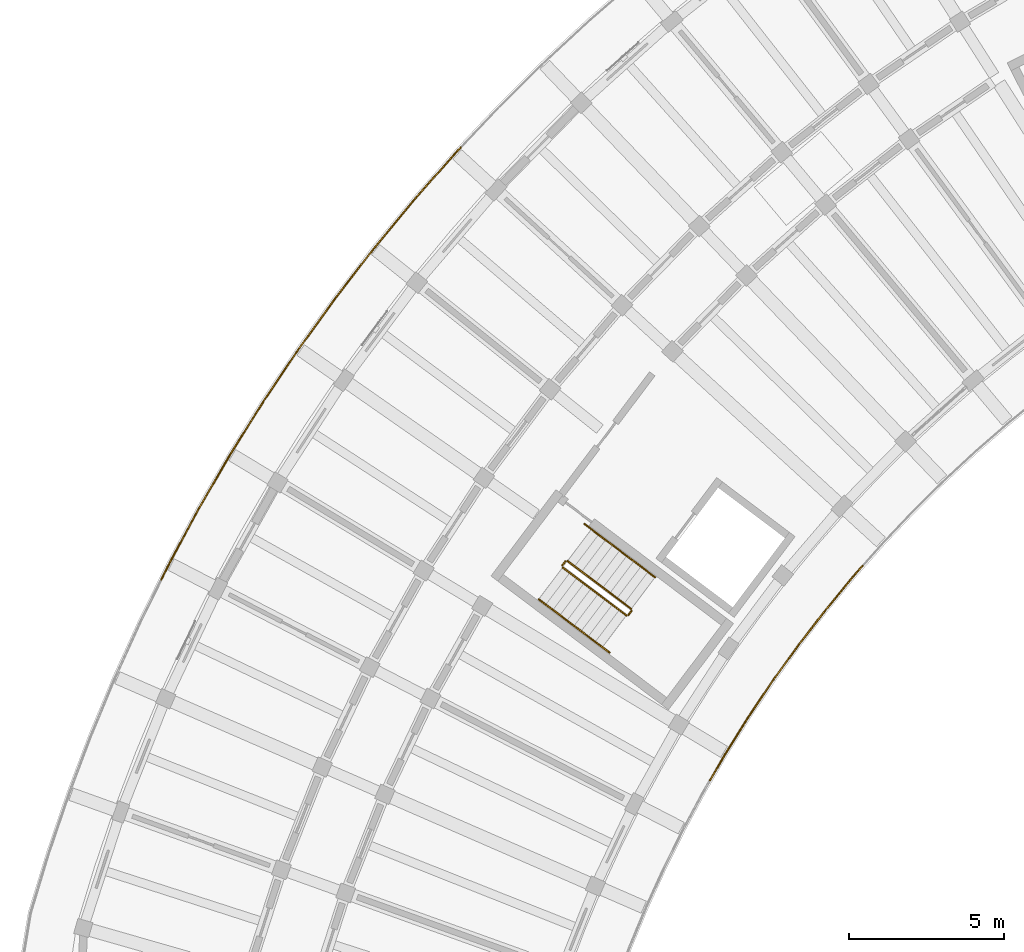
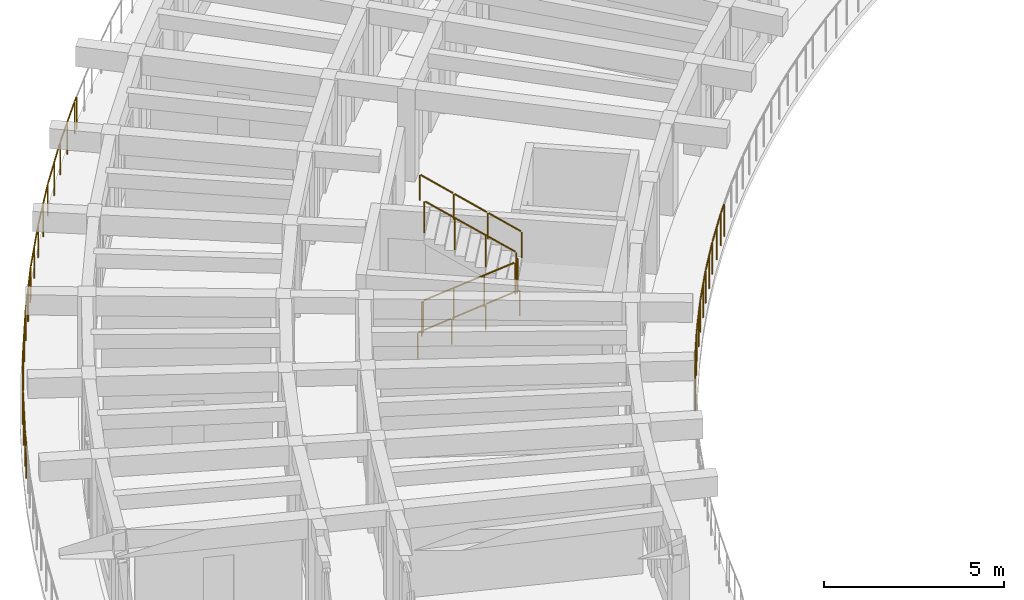
# One storey, part 47 of 56: 13 railings.
"""IFC4 building model written with IfcOpenShell, lengths in metres."""

from ifc_helpers import new_model, si_unit, direction, frame, origin, origin_2d, place, context, subcontext, project, spatial, circle, extrude, material, type_object, element, save


model = new_model("IFC4")

# Units and contexts
model_context = context("Model", 3, precision=1e-05, world=origin(), true_north=direction((0.0, 1.0)))
body_context = subcontext(model_context, "Body", "Model", "MODEL_VIEW")
ifc_project = project(units=[si_unit("LENGTHUNIT", "METRE"), si_unit("AREAUNIT", "SQUARE_METRE"), si_unit("VOLUMEUNIT", "CUBIC_METRE"), si_unit("PLANEANGLEUNIT", "RADIAN"), si_unit("MASSUNIT", "GRAM", prefix="KILO")], contexts=[model_context])

# Site, building, storey
site_placement = place(None, origin())
site = spatial("IfcSite", under=ifc_project, at=site_placement, CompositionType="ELEMENT")
building_placement = place(site_placement, origin())
building = spatial("IfcBuilding", under=site, at=building_placement, Name="Tanwirah Colonnade Gardens", CompositionType="ELEMENT")
storey_placement = place(building_placement, frame((0.0, 0.0, 29.0)))
storey = spatial("IfcBuildingStorey", under=building, at=storey_placement, Name="L08", CompositionType="ELEMENT", Elevation=29.0)

# Railings
ifc_material_1 = material(Name="Precast concrete C40/50", Category="concrete")
railing_type_1 = type_object("IfcRailingType", Name="BAL-EXT112", PredefinedType="BALUSTRADE", material=ifc_material_1)
railing_1_placement = place(storey_placement, frame((32.869384765625, 88.28515625, 0.0)))
element("IfcRailing", 1, at=railing_1_placement, inside=storey, type_object=railing_type_1, Name="Block A L08 Balcony Ribbon Balustrade 5", PredefinedType="BALUSTRADE", context=body_context, shape_type="SweptSolid", body=[
    extrude(circle(Radius=0.02392578125, at=origin_2d()), frame((-0.020751953125, -0.0234375, 1.09619140625), z_axis=(-0.662562077046, -0.749007005348, 0.0), x_axis=(0.749007005348, -0.662562077046, 0.0)), (0.0, 0.0, 1.0), 0.3837890625),
    extrude(circle(Radius=0.02392578125, at=origin_2d()), frame((-0.3173828125, -0.3603515625, 1.09619140625), z_axis=(-0.637581943595, -0.770382544715, 0.0), x_axis=(0.770382544715, -0.637581943595, 0.0)), (0.0, 0.0, 1.0), 1.342041015625),
    extrude(circle(Radius=0.02392578125, at=origin_2d()), frame((-1.213623046875, -1.44482421875, 1.09619140625), z_axis=(-0.611783903817, -0.791024939576, 0.0), x_axis=(0.791024939576, -0.611783903817, 0.0)), (0.0, 0.0, 1.0), 1.341796875),
    extrude(circle(Radius=0.02392578125, at=origin_2d()), frame((-2.073486328125, -2.55859375, 1.09619140625), z_axis=(-0.585522290474, -0.810656306556, 0.0), x_axis=(0.810656306556, -0.585522290474, 0.0)), (0.0, 0.0, 1.0), 1.341796875),
    extrude(circle(Radius=0.02392578125, at=origin_2d()), frame((-2.896484375, -3.69970703125, 1.09619140625), z_axis=(-0.558385571779, -0.829581553091, 0.0), x_axis=(0.829581553091, -0.558385571779, 0.0)), (0.0, 0.0, 1.0), 1.341796875),
    extrude(circle(Radius=0.02392578125, at=origin_2d()), frame((-3.68115234375, -4.86767578125, 1.09619140625), z_axis=(-0.530764445851, -0.847519382091, 0.0), x_axis=(0.847519382091, -0.530764445851, 0.0)), (0.0, 0.0, 1.0), 1.341796875),
    extrude(circle(Radius=0.02392578125, at=origin_2d()), frame((-4.427001953125, -6.060546875, 1.09619140625), z_axis=(-0.502361540351, -0.864657667968, 0.0), x_axis=(0.864657667968, -0.502361540351, 0.0)), (0.0, 0.0, 1.0), 0.95361328125),
    extrude(circle(Radius=0.02099609375, at=origin_2d()), origin(), (0.0, 0.0, 1.0), 1.069091796875),
    extrude(circle(Radius=0.02099609375, at=origin_2d()), frame((-0.295654296875, -0.334228515625, 0.0)), (0.0, 0.0, 1.0), 1.069091796875),
    extrude(circle(Radius=0.02099609375, at=origin_2d()), frame((-0.7451171875, -0.877197265625, 0.0)), (0.0, 0.0, 1.0), 1.069091796875),
    extrude(circle(Radius=0.02099609375, at=origin_2d()), frame((-1.19287109375, -1.418212890625, 0.0)), (0.0, 0.0, 1.0), 1.069091796875),
    extrude(circle(Radius=0.02099609375, at=origin_2d()), frame((-1.6240234375, -1.9755859375, 0.0)), (0.0, 0.0, 1.0), 1.069091796875),
    extrude(circle(Radius=0.02099609375, at=origin_2d()), frame((-2.0537109375, -2.531005859375, 0.0)), (0.0, 0.0, 1.0), 1.069091796875),
    extrude(circle(Radius=0.02099609375, at=origin_2d()), frame((-2.46630859375, -3.1025390625, 0.0)), (0.0, 0.0, 1.0), 1.069091796875),
    extrude(circle(Radius=0.02099609375, at=origin_2d()), frame((-2.87744140625, -3.671630859375, 0.0)), (0.0, 0.0, 1.0), 1.069091796875),
    extrude(circle(Radius=0.02099609375, at=origin_2d()), frame((-3.27099609375, -4.25634765625, 0.0)), (0.0, 0.0, 1.0), 1.069091796875),
    extrude(circle(Radius=0.02099609375, at=origin_2d()), frame((-3.6630859375, -4.8388671875, 0.0)), (0.0, 0.0, 1.0), 1.069091796875),
    extrude(circle(Radius=0.02099609375, at=origin_2d()), frame((-4.037109375, -5.43603515625, 0.0)), (0.0, 0.0, 1.0), 1.069091796875),
    extrude(circle(Radius=0.02099609375, at=origin_2d()), frame((-4.409912109375, -6.03125, 0.0)), (0.0, 0.0, 1.0), 1.069091796875),
    extrude(circle(Radius=0.02099609375, at=origin_2d()), frame((-4.921875, -6.912109375, 0.0)), (0.0, 0.0, 1.0), 1.069091796875),
])
railing_2_placement = place(storey_placement, frame((10.266845703125, 87.8330078125, 0.0)))
element("IfcRailing", 2, at=railing_2_placement, inside=storey, type_object=railing_type_1, Name="Block A L08 Balcony Ribbon Balustrade 12", PredefinedType="BALUSTRADE", context=body_context, shape_type="SweptSolid", body=[
    extrude(circle(Radius=0.02392578125, at=origin_2d()), frame((0.013916015625, 0.028076171875, 1.09619140625), z_axis=(0.444368714855, 0.895843984887, 0.0), x_axis=(-0.895843984887, 0.444368714855, 0.0)), (0.0, 0.0, 1.0), 0.521484375),
    extrude(circle(Radius=0.02392578125, at=origin_2d()), frame((0.2744140625, 0.55078125, 1.09619140625), z_axis=(0.473826102441, 0.88061843306, 0.0), x_axis=(-0.88061843306, 0.473826102441, 0.0)), (0.0, 0.0, 1.0), 1.958740234375),
    extrude(circle(Radius=0.02392578125, at=origin_2d()), frame((1.23291015625, 2.330322265625, 1.09619140625), z_axis=(0.502421024862, 0.864623105045, 0.0), x_axis=(-0.864623105045, 0.502421024862, 0.0)), (0.0, 0.0, 1.0), 1.958984375),
    extrude(circle(Radius=0.02392578125, at=origin_2d()), frame((2.24951171875, 4.07763671875, 1.09619140625), z_axis=(0.530812919598, 0.847489023167, 0.0), x_axis=(-0.847489023167, 0.530812919598, 0.0)), (0.0, 0.0, 1.0), 1.958984375),
    extrude(circle(Radius=0.02392578125, at=origin_2d()), frame((3.3232421875, 5.7900390625, 1.09619140625), z_axis=(0.558315298827, 0.829628849001, 0.0), x_axis=(-0.829628849001, 0.558315298827, 0.0)), (0.0, 0.0, 1.0), 1.789306640625),
    extrude(circle(Radius=0.02099609375, at=origin_2d()), origin(), (0.0, 0.0, 1.0), 1.069091796875),
    extrude(circle(Radius=0.02099609375, at=origin_2d()), frame((0.259521484375, 0.523193359375, 0.0)), (0.0, 0.0, 1.0), 1.069091796875),
    extrude(circle(Radius=0.02099609375, at=origin_2d()), frame((0.73828125, 1.4130859375, 0.0)), (0.0, 0.0, 1.0), 1.069091796875),
    extrude(circle(Radius=0.02099609375, at=origin_2d()), frame((1.21728515625, 2.30322265625, 0.0)), (0.0, 0.0, 1.0), 1.069091796875),
    extrude(circle(Radius=0.02099609375, at=origin_2d()), frame((1.72509765625, 3.17724609375, 0.0)), (0.0, 0.0, 1.0), 1.069091796875),
    extrude(circle(Radius=0.02099609375, at=origin_2d()), frame((2.23291015625, 4.051025390625, 0.0)), (0.0, 0.0, 1.0), 1.069091796875),
    extrude(circle(Radius=0.02099609375, at=origin_2d()), frame((2.76953125, 4.90771484375, 0.0)), (0.0, 0.0, 1.0), 1.069091796875),
    extrude(circle(Radius=0.02099609375, at=origin_2d()), frame((3.305908203125, 5.76416015625, 0.0)), (0.0, 0.0, 1.0), 1.069091796875),
    extrude(circle(Radius=0.02099609375, at=origin_2d()), frame((3.82275390625, 6.5322265625, 0.0)), (0.0, 0.0, 1.0), 1.069091796875),
    extrude(circle(Radius=0.02099609375, at=origin_2d()), frame((4.33984375, 7.300537109375, 0.0)), (0.0, 0.0, 1.0), 1.069091796875),
])
railing_3_placement = place(storey_placement, frame((14.606689453125, 95.133544921875, 0.0)))
element("IfcRailing", 3, at=railing_3_placement, inside=storey, type_object=railing_type_1, Name="Block A L08 Balcony Ribbon Balustrade 13", PredefinedType="BALUSTRADE", context=body_context, shape_type="SweptSolid", body=[
    extrude(circle(Radius=0.02392578125, at=origin_2d()), frame((0.017578125, 0.02587890625, 1.09619140625), z_axis=(0.558681242275, 0.829382462758, 0.0), x_axis=(-0.829382462758, 0.558681242275, 0.0)), (0.0, 0.0, 1.0), 0.10693359375),
    extrude(circle(Radius=0.02392578125, at=origin_2d()), frame((0.113037109375, 0.166015625, 1.09619140625), z_axis=(0.585468507287, 0.810695150457, 0.0), x_axis=(-0.810695150457, 0.585468507287, 0.0)), (0.0, 0.0, 1.0), 1.958984375),
    extrude(circle(Radius=0.02392578125, at=origin_2d()), frame((1.29736328125, 1.80419921875, 1.09619140625), z_axis=(0.611856467608, 0.790968812942, 0.0), x_axis=(-0.790968812942, 0.611856467608, 0.0)), (0.0, 0.0, 1.0), 1.958984375),
    extrude(circle(Radius=0.02392578125, at=origin_2d()), frame((2.53515625, 3.402587890625, 1.09619140625), z_axis=(0.637555355491, 0.770404548717, 0.0), x_axis=(-0.770404548717, 0.637555355491, 0.0)), (0.0, 0.0, 1.0), 1.958984375),
    extrude(circle(Radius=0.02392578125, at=origin_2d()), frame((3.82470703125, 4.959228515625, 1.09619140625), z_axis=(0.662607760508, 0.748966591854, 0.0), x_axis=(-0.748966591854, 0.662607760508, 0.0)), (0.0, 0.0, 1.0), 1.958740234375),
    extrude(circle(Radius=0.02392578125, at=origin_2d()), frame((5.164794921875, 6.472412109375, 1.09619140625), z_axis=(0.686858017599, 0.726791623273, 0.0), x_axis=(-0.726791623273, 0.686858017599, 0.0)), (0.0, 0.0, 1.0), 0.18212890625),
    extrude(circle(Radius=0.02099609375, at=origin_2d()), origin(), (0.0, 0.0, 1.0), 1.069091796875),
    extrude(circle(Radius=0.02099609375, at=origin_2d()), frame((0.0947265625, 0.140625, 0.0)), (0.0, 0.0, 1.0), 1.069091796875),
    extrude(circle(Radius=0.02099609375, at=origin_2d()), frame((0.6865234375, 0.9599609375, 0.0)), (0.0, 0.0, 1.0), 1.069091796875),
    extrude(circle(Radius=0.02099609375, at=origin_2d()), frame((1.2783203125, 1.779541015625, 0.0)), (0.0, 0.0, 1.0), 1.069091796875),
    extrude(circle(Radius=0.02099609375, at=origin_2d()), frame((1.896728515625, 2.5791015625, 0.0)), (0.0, 0.0, 1.0), 1.069091796875),
    extrude(circle(Radius=0.02099609375, at=origin_2d()), frame((2.51513671875, 3.37841796875, 0.0)), (0.0, 0.0, 1.0), 1.069091796875),
    extrude(circle(Radius=0.02099609375, at=origin_2d()), frame((3.15966796875, 4.1572265625, 0.0)), (0.0, 0.0, 1.0), 1.069091796875),
    extrude(circle(Radius=0.02099609375, at=origin_2d()), frame((3.803955078125, 4.935791015625, 0.0)), (0.0, 0.0, 1.0), 1.069091796875),
    extrude(circle(Radius=0.02099609375, at=origin_2d()), frame((4.4736328125, 5.69287109375, 0.0)), (0.0, 0.0, 1.0), 1.069091796875),
    extrude(circle(Radius=0.02099609375, at=origin_2d()), frame((5.143310546875, 6.44970703125, 0.0)), (0.0, 0.0, 1.0), 1.069091796875),
    extrude(circle(Radius=0.02099609375, at=origin_2d()), frame((5.311279296875, 6.62744140625, 0.0)), (0.0, 0.0, 1.0), 1.069091796875),
])
ifc_material_2 = material(Name="Powder-coated galvanized steel", Category="steel")
railing_type_2 = type_object("IfcRailingType", Name="GRD-ST110", PredefinedType="GUARDRAIL", material=ifc_material_2)
railing_4_placement = place(storey_placement, frame((23.201416015625, 88.22900390625, 0.16796875)))
element("IfcRailing", 4, at=railing_4_placement, inside=storey, type_object=railing_type_2, Name="L08 ST-A2 stair guard 1", PredefinedType="GUARDRAIL", context=body_context, shape_type="SweptSolid", body=[
    extrude(circle(Radius=0.02392578125, at=origin_2d()), frame((0.021484375, -0.01611328125, 1.092041015625), z_axis=(0.688012363654, -0.518448596756, 0.507789365762), x_axis=(0.601810650199, 0.798638805285, 0.0)), (0.0, 0.0, 1.0), 2.9150390625),
    extrude(circle(Radius=0.02099609375, at=origin_2d()), origin(), (0.0, 0.0, 1.0), 1.049072265625),
    extrude(circle(Radius=0.02099609375, at=origin_2d()), frame((0.682861328125, -0.5146484375, 0.50390625)), (0.0, 0.0, 1.0), 1.049072265625),
    extrude(circle(Radius=0.02099609375, at=origin_2d()), frame((1.36572265625, -1.029052734375, 1.008056640625)), (0.0, 0.0, 1.0), 1.049072265625),
    extrude(circle(Radius=0.02099609375, at=origin_2d()), frame((2.048583984375, -1.543701171875, 1.511962890625)), (0.0, 0.0, 1.0), 1.049072265625),
])
railing_5_placement = place(storey_placement, frame((25.320068359375, 86.695068359375, 1.679931640625)))
element("IfcRailing", 5, at=railing_5_placement, inside=storey, type_object=railing_type_2, Name="L08 ST-A2 stair guard 2", PredefinedType="GUARDRAIL", context=body_context, shape_type="SweptSolid", body=[
    extrude(circle(Radius=0.02392578125, at=origin_2d()), frame((0.018798828125, 0.02490234375, 1.076171875), z_axis=(0.600975757569, 0.799267251183, 0.0), x_axis=(-0.799267251183, 0.600975757569, 0.0)), (0.0, 0.0, 1.0), 0.09765625),
    extrude(circle(Radius=0.02099609375, at=origin_2d()), origin(), (0.0, 0.0, 1.0), 1.049072265625),
    extrude(circle(Radius=0.02099609375, at=origin_2d()), frame((0.09619140625, 0.1279296875, 0.0)), (0.0, 0.0, 1.0), 1.049072265625),
])
railing_6_placement = place(storey_placement, frame((25.406494140625, 86.89306640625, 1.847900390625)))
element("IfcRailing", 6, at=railing_6_placement, inside=storey, type_object=railing_type_2, Name="L08 ST-A2 stair guard 3", PredefinedType="GUARDRAIL", context=body_context, shape_type="SweptSolid", body=[
    extrude(circle(Radius=0.02392578125, at=origin_2d()), frame((-0.021484375, 0.01611328125, 1.092041015625), z_axis=(-0.688012960348, 0.518367052237, 0.507871800309), x_axis=(-0.60174993816, -0.798684550949, 0.0)), (0.0, 0.0, 1.0), 2.9150390625),
    extrude(circle(Radius=0.02099609375, at=origin_2d()), origin(), (0.0, 0.0, 1.0), 1.049072265625),
    extrude(circle(Radius=0.02099609375, at=origin_2d()), frame((-0.682861328125, 0.514404296875, 0.504150390625)), (0.0, 0.0, 1.0), 1.049072265625),
    extrude(circle(Radius=0.02099609375, at=origin_2d()), frame((-1.36572265625, 1.029052734375, 1.008056640625)), (0.0, 0.0, 1.0), 1.049072265625),
    extrude(circle(Radius=0.02099609375, at=origin_2d()), frame((-2.048583984375, 1.54345703125, 1.51220703125)), (0.0, 0.0, 1.0), 1.049072265625),
])
railing_7_placement = place(storey_placement, frame((23.191650390625, 88.299072265625, 0.0)))
element("IfcRailing", 7, at=railing_7_placement, inside=storey, type_object=railing_type_2, Name="L08 ST-A2 stair guard 4", PredefinedType="GUARDRAIL", context=body_context, shape_type="SweptSolid", body=[
    extrude(circle(Radius=0.02392578125, at=origin_2d()), frame((0.018798828125, 0.02490234375, 1.076171875), z_axis=(0.602681987584, 0.797981467104, 0.0), x_axis=(-0.797981467104, 0.602681987584, 0.0)), (0.0, 0.0, 1.0), 0.097412109375),
    extrude(circle(Radius=0.02099609375, at=origin_2d()), origin(), (0.0, 0.0, 1.0), 1.049072265625),
    extrude(circle(Radius=0.02099609375, at=origin_2d()), frame((0.096435546875, 0.127685546875, 0.0)), (0.0, 0.0, 1.0), 1.049072265625),
])
ifc_material_3 = material(Name="Brushed bronze stainless steel", Category="steel")
railing_type_3 = type_object("IfcRailingType", Name="HR-ST090", PredefinedType="HANDRAIL", material=ifc_material_3)
railing_8_placement = place(storey_placement, frame((22.43115234375, 87.206787109375, 0.16796875)))
element("IfcRailing", 8, at=railing_8_placement, inside=storey, type_object=railing_type_3, Name="L08 ST-A2 stair handrail 1", PredefinedType="HANDRAIL", context=body_context, shape_type="SweptSolid", body=[
    extrude(circle(Radius=0.02392578125, at=origin_2d()), frame((0.021484375, -0.01611328125, 0.891845703125), z_axis=(0.686145346169, -0.517037451972, 0.51173903231), x_axis=(0.601807485929, 0.798641189696, 0.0)), (0.0, 0.0, 1.0), 1.04345703125),
    extrude(circle(Radius=0.02099609375, at=origin_2d()), origin(), (0.0, 0.0, 1.0), 0.848876953125),
    extrude(circle(Radius=0.02099609375, at=origin_2d()), frame((0.7587890625, -0.57177734375, 0.56591796875)), (0.0, 0.0, 1.0), 0.848876953125),
])
railing_9_placement = place(storey_placement, frame((23.18994140625, 86.635009765625, 0.73388671875)))
element("IfcRailing", 9, at=railing_9_placement, inside=storey, type_object=railing_type_3, Name="L08 ST-A2 stair handrail 2", PredefinedType="HANDRAIL", context=body_context, shape_type="SweptSolid", body=[
    extrude(circle(Radius=0.02392578125, at=origin_2d()), frame((0.021484375, -0.01611328125, 0.891845703125), z_axis=(0.686067825084, -0.516979036791, 0.511901958292), x_axis=(0.601807485929, 0.798641189696, 0.0)), (0.0, 0.0, 1.0), 1.04345703125),
    extrude(circle(Radius=0.02099609375, at=origin_2d()), origin(), (0.0, 0.0, 1.0), 0.848876953125),
    extrude(circle(Radius=0.02099609375, at=origin_2d()), frame((0.7587890625, -0.57177734375, 0.566162109375)), (0.0, 0.0, 1.0), 0.848876953125),
])
railing_10_placement = place(storey_placement, frame((23.94873046875, 86.063232421875, 1.300048828125)))
element("IfcRailing", 10, at=railing_10_placement, inside=storey, type_object=railing_type_3, Name="L08 ST-A2 stair handrail 3", PredefinedType="HANDRAIL", context=body_context, shape_type="SweptSolid", body=[
    extrude(circle(Radius=0.02392578125, at=origin_2d()), frame((0.021484375, -0.01611328125, 0.891845703125), z_axis=(0.686028488458, -0.517115777267, 0.511816554955), x_axis=(0.601931007785, 0.798548096152, 0.0)), (0.0, 0.0, 1.0), 1.043212890625),
    extrude(circle(Radius=0.02099609375, at=origin_2d()), origin(), (0.0, 0.0, 1.0), 0.848876953125),
    extrude(circle(Radius=0.02099609375, at=origin_2d()), frame((0.758544921875, -0.57177734375, 0.56591796875)), (0.0, 0.0, 1.0), 0.848876953125),
])
railing_11_placement = place(storey_placement, frame((26.1767578125, 87.915283203125, 1.847900390625)))
element("IfcRailing", 11, at=railing_11_placement, inside=storey, type_object=railing_type_3, Name="L08 ST-A2 stair handrail 4", PredefinedType="HANDRAIL", context=body_context, shape_type="SweptSolid", body=[
    extrude(circle(Radius=0.02392578125, at=origin_2d()), frame((-0.021484375, 0.01611328125, 0.891845703125), z_axis=(-0.685950957095, 0.517057335538, 0.511979488092), x_axis=(-0.601931007785, -0.798548096152, 0.0)), (0.0, 0.0, 1.0), 1.043212890625),
    extrude(circle(Radius=0.02099609375, at=origin_2d()), origin(), (0.0, 0.0, 1.0), 0.848876953125),
    extrude(circle(Radius=0.02099609375, at=origin_2d()), frame((-0.758544921875, 0.57177734375, 0.566162109375)), (0.0, 0.0, 1.0), 0.848876953125),
])
railing_12_placement = place(storey_placement, frame((25.418212890625, 88.487060546875, 2.4140625)))
element("IfcRailing", 12, at=railing_12_placement, inside=storey, type_object=railing_type_3, Name="L08 ST-A2 stair handrail 5", PredefinedType="HANDRAIL", context=body_context, shape_type="SweptSolid", body=[
    extrude(circle(Radius=0.02392578125, at=origin_2d()), frame((-0.021484375, 0.01611328125, 0.891845703125), z_axis=(-0.686223662955, 0.51687567406, 0.51179744232), x_axis=(-0.601643549736, -0.798764695677, 0.0)), (0.0, 0.0, 1.0), 1.043212890625),
    extrude(circle(Radius=0.02099609375, at=origin_2d()), origin(), (0.0, 0.0, 1.0), 0.848876953125),
    extrude(circle(Radius=0.02099609375, at=origin_2d()), frame((-0.7587890625, 0.571533203125, 0.56591796875)), (0.0, 0.0, 1.0), 0.848876953125),
])
railing_13_placement = place(storey_placement, frame((24.659423828125, 89.05859375, 2.97998046875)))
element("IfcRailing", 13, at=railing_13_placement, inside=storey, type_object=railing_type_3, Name="L08 ST-A2 stair handrail 6", PredefinedType="HANDRAIL", context=body_context, shape_type="SweptSolid", body=[
    extrude(circle(Radius=0.02392578125, at=origin_2d()), frame((-0.021484375, 0.01611328125, 0.891845703125), z_axis=(-0.686145346169, 0.517037451972, 0.51173903231), x_axis=(-0.601807485929, -0.798641189696, 0.0)), (0.0, 0.0, 1.0), 1.04345703125),
    extrude(circle(Radius=0.02099609375, at=origin_2d()), origin(), (0.0, 0.0, 1.0), 0.848876953125),
    extrude(circle(Radius=0.02099609375, at=origin_2d()), frame((-0.7587890625, 0.57177734375, 0.56591796875)), (0.0, 0.0, 1.0), 0.848876953125),
])

save(model, "model.ifc")
